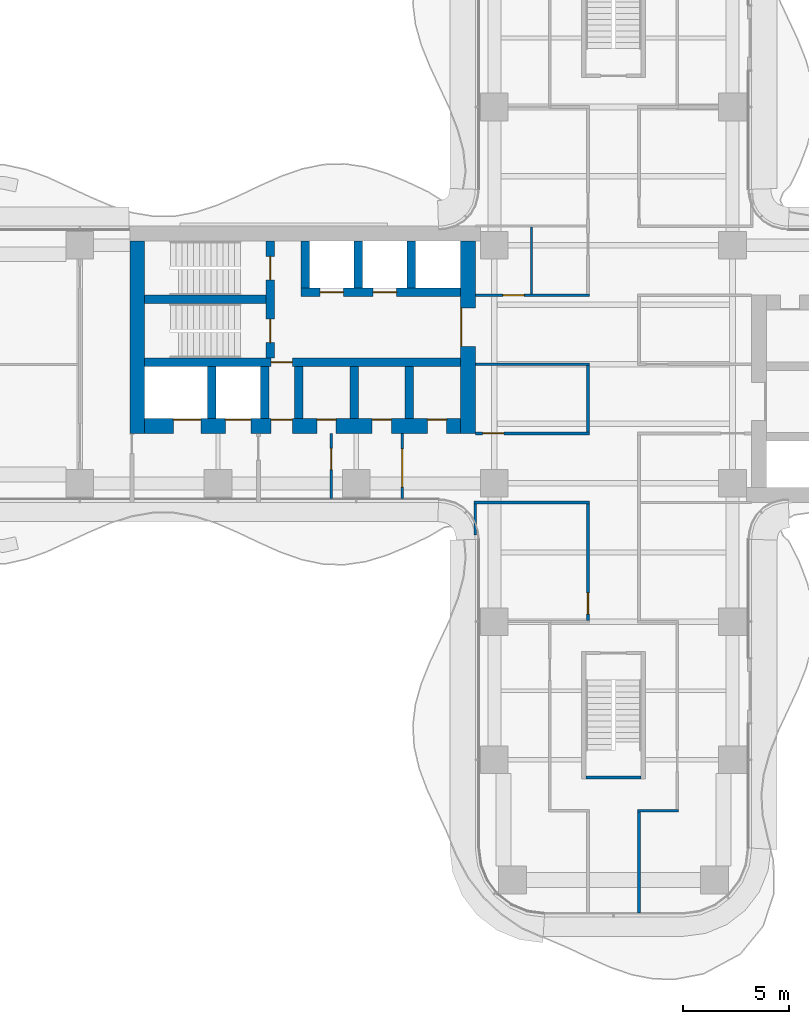
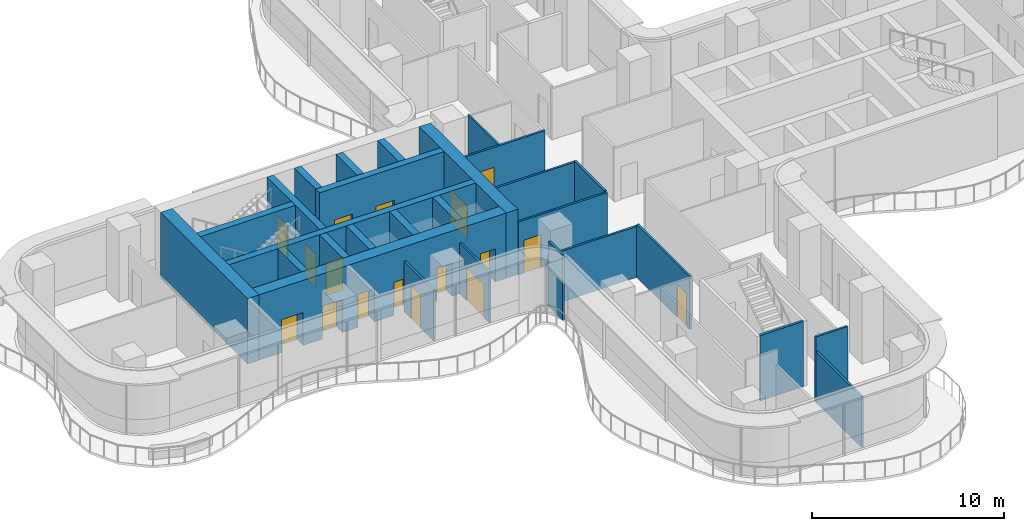
# One storey, part 15 of 20: 28 walls, 17 doors, 17 openings.
"""IFC4 building model written with IfcOpenShell, lengths in metres."""

from ifc_helpers import new_model, si_unit, direction, frame, frame_2d, origin, place, context, subcontext, project, spatial, rectangle, extrude, source, transform, mapped, material, layer, layer_set, type_object, element, fill, save


model = new_model("IFC4")

# Units and contexts
model_context = context("Model", 3, precision=1e-05, world=origin(), true_north=direction((0.0, 1.0)))
body_context = subcontext(model_context, "Body", "Model", "MODEL_VIEW")
ifc_project = project(units=[si_unit("LENGTHUNIT", "METRE"), si_unit("AREAUNIT", "SQUARE_METRE"), si_unit("VOLUMEUNIT", "CUBIC_METRE"), si_unit("PLANEANGLEUNIT", "RADIAN"), si_unit("MASSUNIT", "GRAM", prefix="KILO")], contexts=[model_context])

# Site, building, storey
site_placement = place(None, origin())
site = spatial("IfcSite", under=ifc_project, at=site_placement, CompositionType="ELEMENT")
building_placement = place(site_placement, origin())
building = spatial("IfcBuilding", under=site, at=building_placement, Name="Trellis Farm Tower", CompositionType="ELEMENT")
storey_placement = place(building_placement, frame((0.0, 0.0, 151.5)))
storey = spatial("IfcBuildingStorey", under=building, at=storey_placement, Name="L32", CompositionType="ELEMENT", Elevation=151.5)

# Wall
ifc_material_1 = material(Name="Plasterboard on steel studs", Category="steel")
ifc_layer_1 = layer(ifc_material_1, 0.10009765625)
ifc_layer_set_1 = layer_set([ifc_layer_1], Name="PARTITION 100 STUD EI 30")
wall_type_1 = type_object("IfcWallType", Name="PARTITION 100 STUD EI 30", PredefinedType="PARTITIONING", material=ifc_layer_set_1)
wall_1_placement = place(storey_placement, frame((-3.85009765625, 3.3125, 0.0), z_axis=(0.0, 0.0, 1.0), x_axis=(0.0, 1.0, 0.0)))
element("IfcWall", 1, at=wall_1_placement, inside=storey, type_object=wall_type_1, Name="Partition PW2", PredefinedType="PARTITIONING", context=body_context, shape_type="SweptSolid", body=[
    extrude(rectangle(XDim=3.137451171875, YDim=0.10009765625, at=frame_2d((1.56884765625, 0.0))), origin(), (0.0, 0.0, 1.0), 3.367919921875),
])

# Wall, opening, door
ifc_material_2 = material(Name="Concrete C70/85", Category="concrete")
ifc_layer_2 = layer(ifc_material_2, 0.699951171875)
ifc_layer_set_2 = layer_set([ifc_layer_2], Name="CORE OUTER WALL 700 CONCRETE C70/85")
wall_type_2 = type_object("IfcWallType", Name="CORE OUTER WALL 700 CONCRETE C70/85", PredefinedType="SHEAR", material=ifc_layer_set_2)
shared_shape_1 = source(origin(), body_context, "Body", "SweptSolid", [
    extrude(rectangle(XDim=9.050048828125, YDim=0.699951171875, at=frame_2d((4.52490234375, 0.0))), origin(), (0.0, 0.0, 1.0), 4.14990234375),
])
wall_2_placement = place(storey_placement, frame((-6.85009765625, 5.800048828125, 0.0), z_axis=(0.0, 0.0, 1.0), x_axis=(0.0, -1.0, 0.0)))
wall_2 = element("IfcWall", 2, at=wall_2_placement, inside=storey, type_object=wall_type_2, Name="Core wall", PredefinedType="SHEAR", context=body_context, shape_type="MappedRepresentation", body=[
    mapped(shared_shape_1, transform((0.0, 0.0, 0.0))),
])
shared_shape_2 = source(origin(), body_context, "Body", "SweptSolid", [
    extrude(rectangle(XDim=1.800048828125, YDim=2.10009765625, at=frame_2d((0.89990234375, 1.050048828125))), frame((0.0, 0.360107421875, 0.0), z_axis=(0.0, -1.0, 0.0), x_axis=(1.0, 0.0, 0.0)), (0.0, 0.0, 1.0), 0.72021484375),
])
opening_1_placement = place(wall_2_placement, frame((3.14990234375, 0.0, 0.0)))
opening_1 = element("IfcOpeningElement", 3, at=opening_1_placement, cuts=wall_2, Name="Opening DC87", PredefinedType="OPENING", context=body_context, shape_type="MappedRepresentation", body=[
    mapped(shared_shape_2, transform((0.0, 0.0, 0.0))),
])
ifc_material_3 = material(Name="Steel", Category="steel")
door_type_1 = type_object("IfcDoorType", Name="CORE FIRE DOOR DOUBLE 1800 X 2100", OperationType="DOUBLE_DOOR_SINGLE_SWING", PredefinedType="DOOR", material=ifc_material_3)
shared_shape_3 = source(origin(), body_context, "Body", "SweptSolid", [
    extrude(rectangle(XDim=1.800048828125, YDim=2.10009765625, at=frame_2d((0.89990234375, 1.050048828125))), frame((0.0, -0.27490234375, 0.0), z_axis=(0.0, -1.0, 0.0), x_axis=(1.0, 0.0, 0.0)), (0.0, 0.0, 1.0), 0.050048828125),
])
door_1_placement = place(opening_1_placement, origin())
door_1 = element("IfcDoor", 4, at=door_1_placement, inside=storey, type_object=door_type_1, Name="Core door", OperationType="DOUBLE_DOOR_SINGLE_SWING", OverallHeight=2.10009765625, OverallWidth=1.800048828125, PredefinedType="DOOR", context=body_context, shape_type="MappedRepresentation", body=[
    mapped(shared_shape_3, transform((0.0, 0.0, 0.0))),
])
fill(opening_1, door_1)

# Walls
wall_3_placement = place(storey_placement, frame((-22.39990234375, 5.800048828125, 0.0), z_axis=(0.0, 0.0, 1.0), x_axis=(0.0, -1.0, 0.0)))
element("IfcWall", 5, at=wall_3_placement, inside=storey, type_object=wall_type_2, Name="Core wall", PredefinedType="SHEAR", context=body_context, shape_type="MappedRepresentation", body=[
    mapped(shared_shape_1, transform((0.0, 0.0, 0.0))),
])
ifc_layer_3 = layer(ifc_material_2, 0.39990234375)
ifc_layer_set_3 = layer_set([ifc_layer_3], Name="CORE INNER WALL 400 CONCRETE C70/85")
wall_type_3 = type_object("IfcWallType", Name="CORE INNER WALL 400 CONCRETE C70/85", PredefinedType="SHEAR", material=ifc_layer_set_3)
shared_shape_4 = source(origin(), body_context, "Body", "SweptSolid", [
    extrude(rectangle(XDim=2.199951171875, YDim=0.39990234375, at=frame_2d((1.10009765625, 0.0))), origin(), (0.0, 0.0, 1.0), 4.14990234375),
])
for number, where, z_axis, x_axis, name in (
    (6, (-9.5, 5.800048828125, 0.0), (0.0, 0.0, 1.0), (0.0, -1.0, 0.0), "Core wall"),
    (7, (-12.0, 5.800048828125, 0.0), (0.0, 0.0, 1.0), (0.0, -1.0, 0.0), "Core wall"),
    (8, (-14.5, 5.800048828125, 0.0), (0.0, 0.0, 1.0), (0.0, -1.0, 0.0), "Core wall"),
):
    element("IfcWall", number, at=place(storey_placement, frame(where, z_axis=z_axis, x_axis=x_axis)), inside=storey, type_object=wall_type_3, Name=name, PredefinedType="SHEAR", context=body_context, shape_type="MappedRepresentation", body=[
        mapped(shared_shape_4, transform((0.0, 0.0, 0.0))),
    ])
shared_shape_5 = source(origin(), body_context, "Body", "SweptSolid", [
    extrude(rectangle(XDim=2.449951171875, YDim=0.39990234375, at=frame_2d((1.22509765625, 0.0))), origin(), (0.0, 0.0, 1.0), 4.14990234375),
])
for number, where, z_axis, x_axis, name in (
    (9, (-9.60009765625, -0.10009765625, 0.0), (0.0, 0.0, 1.0), (0.0, -1.0, 0.0), "Core wall"),
    (10, (-12.199951171875, -0.10009765625, 0.0), (0.0, 0.0, 1.0), (0.0, -1.0, 0.0), "Core wall"),
    (11, (-14.800048828125, -0.10009765625, 0.0), (0.0, 0.0, 1.0), (0.0, -1.0, 0.0), "Core wall"),
    (12, (-16.39990234375, -0.10009765625, 0.0), (0.0, 0.0, 1.0), (0.0, -1.0, 0.0), "Core wall"),
    (13, (-18.89990234375, -0.10009765625, 0.0), (0.0, 0.0, 1.0), (0.0, -1.0, 0.0), "Core wall"),
):
    element("IfcWall", number, at=place(storey_placement, frame(where, z_axis=z_axis, x_axis=x_axis)), inside=storey, type_object=wall_type_3, Name=name, PredefinedType="SHEAR", context=body_context, shape_type="MappedRepresentation", body=[
        mapped(shared_shape_5, transform((0.0, 0.0, 0.0))),
    ])

# Wall, openings, doors
shared_shape_6 = source(origin(), body_context, "Body", "SweptSolid", [
    extrude(rectangle(XDim=14.85009765625, YDim=0.699951171875, at=frame_2d((7.425048828125, 0.0))), origin(), (0.0, 0.0, 1.0), 4.14990234375),
])
wall_4_placement = place(storey_placement, frame((-7.199951171875, -2.89990234375, 0.0), z_axis=(0.0, 0.0, 1.0), x_axis=(-1.0, 0.0, 0.0)))
wall_4 = element("IfcWall", 14, at=wall_4_placement, inside=storey, type_object=wall_type_2, Name="Core wall", PredefinedType="SHEAR", context=body_context, shape_type="MappedRepresentation", body=[
    mapped(shared_shape_6, transform((0.0, 0.0, 0.0))),
])
shared_shape_7 = source(origin(), body_context, "Body", "SweptSolid", [
    extrude(rectangle(XDim=1.300048828125, YDim=2.10009765625, at=frame_2d((0.64990234375, 1.050048828125))), frame((0.0, 0.360107421875, 0.0), z_axis=(0.0, -1.0, 0.0), x_axis=(1.0, 0.0, 0.0)), (0.0, 0.0, 1.0), 0.72021484375),
])
opening_2_placement = place(wall_4_placement, frame((12.199951171875, 0.0, 0.0)))
opening_2 = element("IfcOpeningElement", 15, at=opening_2_placement, cuts=wall_4, Name="Opening LD15", PredefinedType="OPENING", context=body_context, shape_type="MappedRepresentation", body=[
    mapped(shared_shape_7, transform((0.0, 0.0, 0.0))),
])
shared_shape_8 = source(origin(), body_context, "Body", "SweptSolid", [
    extrude(rectangle(XDim=1.199951171875, YDim=2.10009765625, at=frame_2d((0.60009765625, 1.050048828125))), frame((0.0, 0.360107421875, 0.0), z_axis=(0.0, -1.0, 0.0), x_axis=(1.0, 0.0, 0.0)), (0.0, 0.0, 1.0), 0.72021484375),
])
opening_3_placement = place(wall_4_placement, frame((9.85009765625, 0.0, 0.0)))
opening_3 = element("IfcOpeningElement", 16, at=opening_3_placement, cuts=wall_4, Name="Opening LD16", PredefinedType="OPENING", context=body_context, shape_type="MappedRepresentation", body=[
    mapped(shared_shape_8, transform((0.0, 0.0, 0.0))),
])
shared_shape_9 = source(origin(), body_context, "Body", "SweptSolid", [
    extrude(rectangle(XDim=1.0, YDim=2.10009765625, at=frame_2d((0.5, 1.050048828125))), frame((0.0, 0.360107421875, 0.0), z_axis=(0.0, -1.0, 0.0), x_axis=(1.0, 0.0, 0.0)), (0.0, 0.0, 1.0), 0.72021484375),
])
opening_4_placement = place(wall_4_placement, frame((7.89990234375, 0.0, 0.0)))
opening_4 = element("IfcOpeningElement", 17, at=opening_4_placement, cuts=wall_4, Name="Opening DC92", PredefinedType="OPENING", context=body_context, shape_type="MappedRepresentation", body=[
    mapped(shared_shape_9, transform((0.0, 0.0, 0.0))),
])
shared_shape_10 = source(origin(), body_context, "Body", "SweptSolid", [
    extrude(rectangle(XDim=0.89990234375, YDim=2.10009765625, at=frame_2d((0.449951171875, 1.050048828125))), frame((0.0, 0.360107421875, 0.0), z_axis=(0.0, -1.0, 0.0), x_axis=(1.0, 0.0, 0.0)), (0.0, 0.0, 1.0), 0.72021484375),
])
opening_5_placement = place(wall_4_placement, frame((0.64990234375, 0.0, 0.0)))
opening_5 = element("IfcOpeningElement", 18, at=opening_5_placement, cuts=wall_4, Name="Opening DC97", PredefinedType="OPENING", context=body_context, shape_type="MappedRepresentation", body=[
    mapped(shared_shape_10, transform((0.0, 0.0, 0.0))),
])
opening_6_placement = place(wall_4_placement, frame((3.25, 0.0, 0.0)))
opening_6 = element("IfcOpeningElement", 19, at=opening_6_placement, cuts=wall_4, Name="Opening DC110", PredefinedType="OPENING", context=body_context, shape_type="MappedRepresentation", body=[
    mapped(shared_shape_10, transform((0.0, 0.0, 0.0))),
])
opening_7_placement = place(wall_4_placement, frame((5.85009765625, 0.0, 0.0)))
opening_7 = element("IfcOpeningElement", 20, at=opening_7_placement, cuts=wall_4, Name="Opening DC121", PredefinedType="OPENING", context=body_context, shape_type="MappedRepresentation", body=[
    mapped(shared_shape_10, transform((0.0, 0.0, 0.0))),
])
door_type_2 = type_object("IfcDoorType", Name="CORE FIRE DOOR 1000 X 2100", OperationType="NOTDEFINED", PredefinedType="DOOR", material=ifc_material_3)
shared_shape_11 = source(origin(), body_context, "Body", "SweptSolid", [
    extrude(rectangle(XDim=1.0, YDim=2.10009765625, at=frame_2d((0.5, 1.050048828125))), frame((0.0, -0.27490234375, 0.0), z_axis=(0.0, -1.0, 0.0), x_axis=(1.0, 0.0, 0.0)), (0.0, 0.0, 1.0), 0.050048828125),
])
door_2_placement = place(opening_4_placement, origin())
door_2 = element("IfcDoor", 21, at=door_2_placement, inside=storey, type_object=door_type_2, Name="Core door", OperationType="SINGLE_SWING_LEFT", OverallHeight=2.10009765625, OverallWidth=1.0, PredefinedType="DOOR", context=body_context, shape_type="MappedRepresentation", body=[
    mapped(shared_shape_11, transform((0.0, 0.0, 0.0))),
])
fill(opening_4, door_2)
door_type_3 = type_object("IfcDoorType", Name="CORE FIRE DOOR 900 X 2100", OperationType="NOTDEFINED", PredefinedType="DOOR", material=ifc_material_3)
shared_shape_12 = source(origin(), body_context, "Body", "SweptSolid", [
    extrude(rectangle(XDim=0.89990234375, YDim=2.10009765625, at=frame_2d((0.449951171875, 1.050048828125))), frame((0.0, -0.27490234375, 0.0), z_axis=(0.0, -1.0, 0.0), x_axis=(1.0, 0.0, 0.0)), (0.0, 0.0, 1.0), 0.050048828125),
])
door_3_placement = place(opening_5_placement, origin())
door_3 = element("IfcDoor", 22, at=door_3_placement, inside=storey, type_object=door_type_3, Name="Core door", OperationType="SINGLE_SWING_LEFT", OverallHeight=2.10009765625, OverallWidth=0.89990234375, PredefinedType="DOOR", context=body_context, shape_type="MappedRepresentation", body=[
    mapped(shared_shape_12, transform((0.0, 0.0, 0.0))),
])
fill(opening_5, door_3)
door_4_placement = place(opening_6_placement, origin())
door_4 = element("IfcDoor", 23, at=door_4_placement, inside=storey, type_object=door_type_3, Name="Core door", OperationType="SINGLE_SWING_RIGHT", OverallHeight=2.10009765625, OverallWidth=0.89990234375, PredefinedType="DOOR", context=body_context, shape_type="MappedRepresentation", body=[
    mapped(shared_shape_12, transform((0.0, 0.0, 0.0))),
])
fill(opening_6, door_4)
door_5_placement = place(opening_7_placement, origin())
door_5 = element("IfcDoor", 24, at=door_5_placement, inside=storey, type_object=door_type_3, Name="Core door", OperationType="SINGLE_SWING_LEFT", OverallHeight=2.10009765625, OverallWidth=0.89990234375, PredefinedType="DOOR", context=body_context, shape_type="MappedRepresentation", body=[
    mapped(shared_shape_12, transform((0.0, 0.0, 0.0))),
])
fill(opening_7, door_5)
ifc_material_4 = material(Name="Stainless steel", Category="steel")
door_type_4 = type_object("IfcDoorType", Name="LIFT LANDING DOOR 1300 X 2100", OperationType="DOUBLE_DOOR_SLIDING", PredefinedType="DOOR", material=ifc_material_4)
shared_shape_13 = source(origin(), body_context, "Body", "SweptSolid", [
    extrude(rectangle(XDim=1.300048828125, YDim=2.10009765625, at=frame_2d((0.64990234375, 1.050048828125))), frame((0.0, -0.27490234375, 0.0), z_axis=(0.0, -1.0, 0.0), x_axis=(1.0, 0.0, 0.0)), (0.0, 0.0, 1.0), 0.050048828125),
])
door_6_placement = place(opening_2_placement, origin())
door_6 = element("IfcDoor", 25, at=door_6_placement, inside=storey, type_object=door_type_4, Name="Lift landing door", OperationType="DOUBLE_DOOR_SLIDING", OverallHeight=2.10009765625, OverallWidth=1.300048828125, PredefinedType="DOOR", context=body_context, shape_type="MappedRepresentation", body=[
    mapped(shared_shape_13, transform((0.0, 0.0, 0.0))),
])
fill(opening_2, door_6)
door_type_5 = type_object("IfcDoorType", Name="LIFT LANDING DOOR 1200 X 2100", OperationType="DOUBLE_DOOR_SLIDING", PredefinedType="DOOR", material=ifc_material_4)
shared_shape_14 = source(origin(), body_context, "Body", "SweptSolid", [
    extrude(rectangle(XDim=1.199951171875, YDim=2.10009765625, at=frame_2d((0.60009765625, 1.050048828125))), frame((0.0, -0.27490234375, 0.0), z_axis=(0.0, -1.0, 0.0), x_axis=(1.0, 0.0, 0.0)), (0.0, 0.0, 1.0), 0.050048828125),
])
door_7_placement = place(opening_3_placement, origin())
door_7 = element("IfcDoor", 26, at=door_7_placement, inside=storey, type_object=door_type_5, Name="Lift landing door", OperationType="DOUBLE_DOOR_SLIDING", OverallHeight=2.10009765625, OverallWidth=1.199951171875, PredefinedType="DOOR", context=body_context, shape_type="MappedRepresentation", body=[
    mapped(shared_shape_14, transform((0.0, 0.0, 0.0))),
])
fill(opening_3, door_7)

shared_shape_15 = source(origin(), body_context, "Body", "SweptSolid", [
    extrude(rectangle(XDim=7.5, YDim=0.39990234375, at=frame_2d((3.75, 0.0))), origin(), (0.0, 0.0, 1.0), 4.14990234375),
])
wall_5_placement = place(storey_placement, frame((-7.199951171875, 3.39990234375, 0.0), z_axis=(0.0, 0.0, 1.0), x_axis=(-1.0, 0.0, 0.0)))
wall_5 = element("IfcWall", 27, at=wall_5_placement, inside=storey, type_object=wall_type_3, Name="Core wall", PredefinedType="SHEAR", context=body_context, shape_type="MappedRepresentation", body=[
    mapped(shared_shape_15, transform((0.0, 0.0, 0.0))),
])
shared_shape_16 = source(origin(), body_context, "Body", "SweptSolid", [
    extrude(rectangle(XDim=1.10009765625, YDim=2.10009765625, at=frame_2d((0.550048828125, 1.050048828125))), frame((0.0, 0.2099609375, 0.0), z_axis=(0.0, -1.0, 0.0), x_axis=(1.0, 0.0, 0.0)), (0.0, 0.0, 1.0), 0.419921875),
])
opening_8_placement = place(wall_5_placement, frame((3.0, 0.0, 0.0)))
opening_8 = element("IfcOpeningElement", 28, at=opening_8_placement, cuts=wall_5, Name="Opening LD10", PredefinedType="OPENING", context=body_context, shape_type="MappedRepresentation", body=[
    mapped(shared_shape_16, transform((0.0, 0.0, 0.0))),
])
opening_9_placement = place(wall_5_placement, frame((5.5, 0.0, 0.0)))
opening_9 = element("IfcOpeningElement", 29, at=opening_9_placement, cuts=wall_5, Name="Opening LD11", PredefinedType="OPENING", context=body_context, shape_type="MappedRepresentation", body=[
    mapped(shared_shape_16, transform((0.0, 0.0, 0.0))),
])
door_type_6 = type_object("IfcDoorType", Name="LIFT LANDING DOOR 1100 X 2100", OperationType="DOUBLE_DOOR_SLIDING", PredefinedType="DOOR", material=ifc_material_4)
shared_shape_17 = source(origin(), body_context, "Body", "SweptSolid", [
    extrude(rectangle(XDim=1.10009765625, YDim=2.10009765625, at=frame_2d((0.550048828125, 1.050048828125))), frame((0.0, 0.02490234375, 0.0), z_axis=(0.0, -1.0, 0.0), x_axis=(1.0, 0.0, 0.0)), (0.0, 0.0, 1.0), 0.050048828125),
])
door_8_placement = place(opening_8_placement, origin())
door_8 = element("IfcDoor", 30, at=door_8_placement, inside=storey, type_object=door_type_6, Name="Lift landing door", OperationType="DOUBLE_DOOR_SLIDING", OverallHeight=2.10009765625, OverallWidth=1.10009765625, PredefinedType="DOOR", context=body_context, shape_type="MappedRepresentation", body=[
    mapped(shared_shape_17, transform((0.0, 0.0, 0.0))),
])
fill(opening_8, door_8)
door_9_placement = place(opening_9_placement, origin())
door_9 = element("IfcDoor", 31, at=door_9_placement, inside=storey, type_object=door_type_6, Name="Lift landing door", OperationType="DOUBLE_DOOR_SLIDING", OverallHeight=2.10009765625, OverallWidth=1.10009765625, PredefinedType="DOOR", context=body_context, shape_type="MappedRepresentation", body=[
    mapped(shared_shape_17, transform((0.0, 0.0, 0.0))),
])
fill(opening_9, door_9)

# Wall, opening, door
shared_shape_18 = source(origin(), body_context, "Body", "SweptSolid", [
    extrude(rectangle(XDim=14.85009765625, YDim=0.39990234375, at=frame_2d((7.425048828125, 0.0))), origin(), (0.0, 0.0, 1.0), 4.14990234375),
])
wall_6_placement = place(storey_placement, frame((-7.199951171875, 0.10009765625, 0.0), z_axis=(0.0, 0.0, 1.0), x_axis=(-1.0, 0.0, 0.0)))
wall_6 = element("IfcWall", 32, at=wall_6_placement, inside=storey, type_object=wall_type_3, Name="Core wall", PredefinedType="SHEAR", context=body_context, shape_type="MappedRepresentation", body=[
    mapped(shared_shape_18, transform((0.0, 0.0, 0.0))),
])
shared_shape_19 = source(origin(), body_context, "Body", "SweptSolid", [
    extrude(rectangle(XDim=1.0, YDim=2.10009765625, at=frame_2d((0.5, 1.050048828125))), frame((0.0, 0.2099609375, 0.0), z_axis=(0.0, -1.0, 0.0), x_axis=(1.0, 0.0, 0.0)), (0.0, 0.0, 1.0), 0.419921875),
])
opening_10_placement = place(wall_6_placement, frame((7.89990234375, 0.0, 0.0)))
opening_10 = element("IfcOpeningElement", 33, at=opening_10_placement, cuts=wall_6, Name="Opening DC91", PredefinedType="OPENING", context=body_context, shape_type="MappedRepresentation", body=[
    mapped(shared_shape_19, transform((0.0, 0.0, 0.0))),
])
shared_shape_20 = source(origin(), body_context, "Body", "SweptSolid", [
    extrude(rectangle(XDim=1.0, YDim=2.10009765625, at=frame_2d((0.5, 1.050048828125))), frame((0.0, 0.02490234375, 0.0), z_axis=(0.0, -1.0, 0.0), x_axis=(1.0, 0.0, 0.0)), (0.0, 0.0, 1.0), 0.050048828125),
])
door_10_placement = place(opening_10_placement, origin())
door_10 = element("IfcDoor", 34, at=door_10_placement, inside=storey, type_object=door_type_2, Name="Core door", OperationType="SINGLE_SWING_RIGHT", OverallHeight=2.10009765625, OverallWidth=1.0, PredefinedType="DOOR", context=body_context, shape_type="MappedRepresentation", body=[
    mapped(shared_shape_20, transform((0.0, 0.0, 0.0))),
])
fill(opening_10, door_10)

# Wall, openings, doors
shared_shape_21 = source(origin(), body_context, "Body", "SweptSolid", [
    extrude(rectangle(XDim=5.5, YDim=0.39990234375, at=frame_2d((2.75, 0.0))), origin(), (0.0, 0.0, 1.0), 4.14990234375),
])
wall_7_placement = place(storey_placement, frame((-16.14990234375, 5.800048828125, 0.0), z_axis=(0.0, 0.0, 1.0), x_axis=(0.0, -1.0, 0.0)))
wall_7 = element("IfcWall", 35, at=wall_7_placement, inside=storey, type_object=wall_type_3, Name="Core wall", PredefinedType="SHEAR", context=body_context, shape_type="MappedRepresentation", body=[
    mapped(shared_shape_21, transform((0.0, 0.0, 0.0))),
])
opening_11_placement = place(wall_7_placement, frame((0.72509765625, 0.0, 0.0)))
opening_11 = element("IfcOpeningElement", 36, at=opening_11_placement, cuts=wall_7, Name="Opening DC88", PredefinedType="OPENING", context=body_context, shape_type="MappedRepresentation", body=[
    mapped(shared_shape_16, transform((0.0, 0.0, 0.0))),
])
opening_12_placement = place(wall_7_placement, frame((3.675048828125, 0.0, 0.0)))
opening_12 = element("IfcOpeningElement", 37, at=opening_12_placement, cuts=wall_7, Name="Opening DC89", PredefinedType="OPENING", context=body_context, shape_type="MappedRepresentation", body=[
    mapped(shared_shape_16, transform((0.0, 0.0, 0.0))),
])
door_type_7 = type_object("IfcDoorType", Name="CORE FIRE DOOR 1100 X 2100", OperationType="NOTDEFINED", PredefinedType="DOOR", material=ifc_material_3)
door_11_placement = place(opening_11_placement, origin())
door_11 = element("IfcDoor", 38, at=door_11_placement, inside=storey, type_object=door_type_7, Name="Core door", OperationType="SINGLE_SWING_RIGHT", OverallHeight=2.10009765625, OverallWidth=1.10009765625, PredefinedType="DOOR", context=body_context, shape_type="MappedRepresentation", body=[
    mapped(shared_shape_17, transform((0.0, 0.0, 0.0))),
])
fill(opening_11, door_11)
door_12_placement = place(opening_12_placement, origin())
door_12 = element("IfcDoor", 39, at=door_12_placement, inside=storey, type_object=door_type_7, Name="Core door", OperationType="SINGLE_SWING_LEFT", OverallHeight=2.10009765625, OverallWidth=1.10009765625, PredefinedType="DOOR", context=body_context, shape_type="MappedRepresentation", body=[
    mapped(shared_shape_17, transform((0.0, 0.0, 0.0))),
])
fill(opening_12, door_12)

# Walls
shared_shape_22 = source(origin(), body_context, "Body", "SweptSolid", [
    extrude(rectangle(XDim=5.699951171875, YDim=0.39990234375, at=frame_2d((2.85009765625, 0.0))), origin(), (0.0, 0.0, 1.0), 4.14990234375),
])
wall_8_placement = place(storey_placement, frame((-16.35009765625, 3.050048828125, 0.0), z_axis=(0.0, 0.0, 1.0), x_axis=(-1.0, 0.0, 0.0)))
element("IfcWall", 40, at=wall_8_placement, inside=storey, type_object=wall_type_3, Name="Core wall", PredefinedType="SHEAR", context=body_context, shape_type="MappedRepresentation", body=[
    mapped(shared_shape_22, transform((0.0, 0.0, 0.0))),
])
ifc_layer_4 = layer(ifc_material_2, 0.14990234375)
ifc_layer_set_4 = layer_set([ifc_layer_4], Name="CORE STAIR ENCLOSURE WALL 150 CONCRETE C70/85")
wall_type_4 = type_object("IfcWallType", Name="CORE STAIR ENCLOSURE WALL 150 CONCRETE C70/85", PredefinedType="SHEAR", material=ifc_layer_set_4)
shared_shape_23 = source(origin(), body_context, "Body", "SweptSolid", [
    extrude(rectangle(XDim=2.60009765625, YDim=0.14990234375, at=frame_2d((1.300048828125, 0.0))), origin(), (0.0, 0.0, 1.0), 4.14990234375),
])
wall_9_placement = place(storey_placement, frame((1.300048828125, -19.425048828125, 0.0), z_axis=(0.0, 0.0, 1.0), x_axis=(-1.0, 0.0, 0.0)))
element("IfcWall", 41, at=wall_9_placement, inside=storey, type_object=wall_type_4, Name="Stair enclosure wall", PredefinedType="SHEAR", context=body_context, shape_type="MappedRepresentation", body=[
    mapped(shared_shape_23, transform((0.0, 0.0, 0.0))),
])

# Wall, opening, door
ifc_material_5 = material(Name="Plasterboard on steel studs, mineral wool", Category="steel")
ifc_layer_5 = layer(ifc_material_5, 0.125)
ifc_layer_set_5 = layer_set([ifc_layer_5], Name="PARTITION 125 STUD EI 60")
wall_type_5 = type_object("IfcWallType", Name="PARTITION 125 STUD EI 60", PredefinedType="PARTITIONING", material=ifc_layer_set_5)
shared_shape_24 = source(origin(), body_context, "Body", "SweptSolid", [
    extrude(rectangle(XDim=3.050048828125, YDim=0.125, at=frame_2d((1.52490234375, 0.0))), origin(), (0.0, 0.0, 1.0), 3.22998046875),
])
wall_10_placement = place(storey_placement, frame((-13.26708984375, -6.300048828125, 0.0), z_axis=(0.0, 0.0, 1.0), x_axis=(0.0, 1.0, 0.0)))
wall_10 = element("IfcWall", 42, at=wall_10_placement, inside=storey, type_object=wall_type_5, Name="Partition PW1", PredefinedType="PARTITIONING", context=body_context, shape_type="MappedRepresentation", body=[
    mapped(shared_shape_24, transform((0.0, 0.0, 0.0))),
])
shared_shape_25 = source(origin(), body_context, "Body", "SweptSolid", [
    extrude(rectangle(XDim=1.0, YDim=2.10009765625, at=frame_2d((0.5, 1.050048828125))), frame((0.0, 0.072509765625, 0.0), z_axis=(0.0, -1.0, 0.0), x_axis=(1.0, 0.0, 0.0)), (0.0, 0.0, 1.0), 0.14501953125),
])
opening_13_placement = place(wall_10_placement, frame((1.35009765625, 0.0, 0.0)))
opening_13 = element("IfcOpeningElement", 43, at=opening_13_placement, cuts=wall_10, Name="Opening D301", PredefinedType="OPENING", context=body_context, shape_type="MappedRepresentation", body=[
    mapped(shared_shape_25, transform((0.0, 0.0, 0.0))),
])
ifc_material_6 = material(Name="Fire-rated timber door leaf in a hollow metal frame", Category="wood")
door_type_8 = type_object("IfcDoorType", Name="DOOR 1000x2100 FD60", OperationType="NOTDEFINED", PredefinedType="DOOR", material=ifc_material_6)
door_13_placement = place(opening_13_placement, origin())
door_13 = element("IfcDoor", 44, at=door_13_placement, inside=storey, type_object=door_type_8, Name="Door D301", OperationType="SINGLE_SWING_LEFT", OverallHeight=2.10009765625, OverallWidth=1.0, PredefinedType="DOOR", context=body_context, shape_type="MappedRepresentation", body=[
    mapped(shared_shape_20, transform((0.0, 0.0, 0.0))),
])
fill(opening_13, door_13)

wall_11_placement = place(storey_placement, frame((-9.93408203125, -6.300048828125, 0.0), z_axis=(0.0, 0.0, 1.0), x_axis=(0.0, 1.0, 0.0)))
wall_11 = element("IfcWall", 45, at=wall_11_placement, inside=storey, type_object=wall_type_5, Name="Partition PW1", PredefinedType="PARTITIONING", context=body_context, shape_type="MappedRepresentation", body=[
    mapped(shared_shape_24, transform((0.0, 0.0, 0.0))),
])
shared_shape_26 = source(origin(), body_context, "Body", "SweptSolid", [
    extrude(rectangle(XDim=1.800048828125, YDim=2.10009765625, at=frame_2d((0.89990234375, 1.050048828125))), frame((0.0, 0.072509765625, 0.0), z_axis=(0.0, -1.0, 0.0), x_axis=(1.0, 0.0, 0.0)), (0.0, 0.0, 1.0), 0.14501953125),
])
opening_14_placement = place(wall_11_placement, frame((0.52490234375, 0.0, 0.0)))
opening_14 = element("IfcOpeningElement", 46, at=opening_14_placement, cuts=wall_11, Name="Opening D401", PredefinedType="OPENING", context=body_context, shape_type="MappedRepresentation", body=[
    mapped(shared_shape_26, transform((0.0, 0.0, 0.0))),
])
door_type_9 = type_object("IfcDoorType", Name="DOOR PAIR 1800x2100 FD60", OperationType="NOTDEFINED", PredefinedType="DOOR", material=ifc_material_6)
shared_shape_27 = source(origin(), body_context, "Body", "SweptSolid", [
    extrude(rectangle(XDim=1.800048828125, YDim=2.10009765625, at=frame_2d((0.89990234375, 1.050048828125))), frame((0.0, 0.02490234375, 0.0), z_axis=(0.0, -1.0, 0.0), x_axis=(1.0, 0.0, 0.0)), (0.0, 0.0, 1.0), 0.050048828125),
])
door_14_placement = place(opening_14_placement, origin())
door_14 = element("IfcDoor", 47, at=door_14_placement, inside=storey, type_object=door_type_9, Name="Door D401", OperationType="DOUBLE_DOOR_SINGLE_SWING", OverallHeight=2.10009765625, OverallWidth=1.800048828125, PredefinedType="DOOR", context=body_context, shape_type="MappedRepresentation", body=[
    mapped(shared_shape_27, transform((0.0, 0.0, 0.0))),
])
fill(opening_14, door_14)

# Walls
shared_shape_28 = source(origin(), body_context, "Body", "SweptSolid", [
    extrude(rectangle(XDim=4.737548828125, YDim=0.125, at=frame_2d((2.36865234375, 0.0))), origin(), (0.0, 0.0, 1.0), 3.22998046875),
])
wall_12_placement = place(storey_placement, frame((1.199951171875, -21.0625, 0.0), z_axis=(0.0, 0.0, 1.0), x_axis=(0.0, -1.0, 0.0)))
element("IfcWall", 48, at=wall_12_placement, inside=storey, type_object=wall_type_5, Name="Partition PW1", PredefinedType="PARTITIONING", context=body_context, shape_type="MappedRepresentation", body=[
    mapped(shared_shape_28, transform((0.0, 0.0, 0.0))),
])
shared_shape_29 = source(origin(), body_context, "Body", "SweptSolid", [
    extrude(rectangle(XDim=3.125, YDim=0.125, at=frame_2d((1.5625, 0.0))), origin(), (0.0, 0.0, 1.0), 3.446533203125),
])
wall_13_placement = place(storey_placement, frame((-1.199951171875, -0.0625, 0.0), z_axis=(0.0, 0.0, 1.0), x_axis=(0.0, -1.0, 0.0)))
element("IfcWall", 49, at=wall_13_placement, inside=storey, type_object=wall_type_5, Name="Partition PW1", PredefinedType="PARTITIONING", context=body_context, shape_type="MappedRepresentation", body=[
    mapped(shared_shape_29, transform((0.0, 0.0, 0.0))),
])

# Wall, opening, door
shared_shape_30 = source(origin(), body_context, "Body", "SweptSolid", [
    extrude(rectangle(XDim=5.47509765625, YDim=0.125, at=frame_2d((2.737548828125, 0.0))), origin(), (0.0, 0.0, 1.0), 3.367919921875),
])
wall_14_placement = place(storey_placement, frame((-1.199951171875, -6.5625, 0.0), z_axis=(0.0, 0.0, 1.0), x_axis=(0.0, -1.0, 0.0)))
wall_14 = element("IfcWall", 50, at=wall_14_placement, inside=storey, type_object=wall_type_5, Name="Partition PW1", PredefinedType="PARTITIONING", context=body_context, shape_type="MappedRepresentation", body=[
    mapped(shared_shape_30, transform((0.0, 0.0, 0.0))),
])
opening_15_placement = place(wall_14_placement, frame((4.1875, 0.0, 0.0)))
opening_15 = element("IfcOpeningElement", 51, at=opening_15_placement, cuts=wall_14, Name="Opening D103", PredefinedType="OPENING", context=body_context, shape_type="MappedRepresentation", body=[
    mapped(shared_shape_25, transform((0.0, 0.0, 0.0))),
])
door_type_10 = type_object("IfcDoorType", Name="DOOR 1000x2100 FD30S", OperationType="NOTDEFINED", PredefinedType="DOOR", material=ifc_material_6)
door_15_placement = place(opening_15_placement, origin())
door_15 = element("IfcDoor", 52, at=door_15_placement, inside=storey, type_object=door_type_10, Name="Door D103", OperationType="SINGLE_SWING_RIGHT", OverallHeight=2.10009765625, OverallWidth=1.0, PredefinedType="DOOR", context=body_context, shape_type="MappedRepresentation", body=[
    mapped(shared_shape_20, transform((0.0, 0.0, 0.0))),
])
fill(opening_15, door_15)

# Walls
shared_shape_31 = source(origin(), body_context, "Body", "SweptSolid", [
    extrude(rectangle(XDim=1.468994140625, YDim=0.125, at=frame_2d((0.734375, 0.0))), origin(), (0.0, 0.0, 1.0), 4.14990234375),
])
wall_15_placement = place(storey_placement, frame((-6.5, -6.5625, 0.0), z_axis=(0.0, 0.0, 1.0), x_axis=(0.0, -1.0, 0.0)))
element("IfcWall", 53, at=wall_15_placement, inside=storey, type_object=wall_type_5, Name="Partition PW1", PredefinedType="PARTITIONING", context=body_context, shape_type="MappedRepresentation", body=[
    mapped(shared_shape_31, transform((0.0, 0.0, 0.0))),
])
shared_shape_32 = source(origin(), body_context, "Body", "SweptSolid", [
    extrude(rectangle(XDim=1.925048828125, YDim=0.125, at=frame_2d((0.96240234375, 0.0))), origin(), (0.0, 0.0, 1.0), 4.14990234375),
])
wall_16_placement = place(storey_placement, frame((3.0625, -21.0, 0.0), z_axis=(0.0, 0.0, 1.0), x_axis=(-1.0, 0.0, 0.0)))
element("IfcWall", 54, at=wall_16_placement, inside=storey, type_object=wall_type_5, Name="Partition PW1", PredefinedType="PARTITIONING", context=body_context, shape_type="MappedRepresentation", body=[
    mapped(shared_shape_32, transform((0.0, 0.0, 0.0))),
])

# Wall, opening, door
shared_shape_33 = source(origin(), body_context, "Body", "SweptSolid", [
    extrude(rectangle(XDim=5.362548828125, YDim=0.125, at=frame_2d((2.68115234375, 0.0))), origin(), (0.0, 0.0, 1.0), 3.367919921875),
])
wall_17_placement = place(storey_placement, frame((-1.137451171875, -3.25, 0.0), z_axis=(0.0, 0.0, 1.0), x_axis=(-1.0, 0.0, 0.0)))
wall_17 = element("IfcWall", 55, at=wall_17_placement, inside=storey, type_object=wall_type_5, Name="Partition PW1", PredefinedType="PARTITIONING", context=body_context, shape_type="MappedRepresentation", body=[
    mapped(shared_shape_33, transform((0.0, 0.0, 0.0))),
])
opening_16_placement = place(wall_17_placement, frame((4.012451171875, 0.0, 0.0)))
opening_16 = element("IfcOpeningElement", 56, at=opening_16_placement, cuts=wall_17, Name="Opening D104", PredefinedType="OPENING", context=body_context, shape_type="MappedRepresentation", body=[
    mapped(shared_shape_25, transform((0.0, 0.0, 0.0))),
])
door_16_placement = place(opening_16_placement, origin())
door_16 = element("IfcDoor", 57, at=door_16_placement, inside=storey, type_object=door_type_10, Name="Door D104", OperationType="SINGLE_SWING_RIGHT", OverallHeight=2.10009765625, OverallWidth=1.0, PredefinedType="DOOR", context=body_context, shape_type="MappedRepresentation", body=[
    mapped(shared_shape_20, transform((0.0, 0.0, 0.0))),
])
fill(opening_16, door_16)

# Wall
wall_18_placement = place(storey_placement, frame((-1.137451171875, 0.0, 0.0), z_axis=(0.0, 0.0, 1.0), x_axis=(-1.0, 0.0, 0.0)))
element("IfcWall", 58, at=wall_18_placement, inside=storey, type_object=wall_type_5, Name="Partition PW1", PredefinedType="PARTITIONING", context=body_context, shape_type="MappedRepresentation", body=[
    mapped(shared_shape_33, transform((0.0, 0.0, 0.0))),
])

# Wall, opening, door
wall_19_placement = place(storey_placement, frame((-6.5, 3.25, 0.0), z_axis=(0.0, 0.0, 1.0), x_axis=(1.0, 0.0, 0.0)))
wall_19 = element("IfcWall", 59, at=wall_19_placement, inside=storey, type_object=wall_type_5, Name="Partition PW1", PredefinedType="PARTITIONING", context=body_context, shape_type="MappedRepresentation", body=[
    mapped(shared_shape_33, transform((0.0, 0.0, 0.0))),
])
opening_17_placement = place(wall_19_placement, frame((1.300048828125, 0.0, 0.0)))
opening_17 = element("IfcOpeningElement", 60, at=opening_17_placement, cuts=wall_19, Name="Opening D108", PredefinedType="OPENING", context=body_context, shape_type="MappedRepresentation", body=[
    mapped(shared_shape_25, transform((0.0, 0.0, 0.0))),
])
door_17_placement = place(opening_17_placement, origin())
door_17 = element("IfcDoor", 61, at=door_17_placement, inside=storey, type_object=door_type_10, Name="Door D108", OperationType="SINGLE_SWING_RIGHT", OverallHeight=2.10009765625, OverallWidth=1.0, PredefinedType="DOOR", context=body_context, shape_type="MappedRepresentation", body=[
    mapped(shared_shape_20, transform((0.0, 0.0, 0.0))),
])
fill(opening_17, door_17)

# Wall
shared_shape_34 = source(origin(), body_context, "Body", "SweptSolid", [
    extrude(rectangle(XDim=5.425048828125, YDim=0.125, at=frame_2d((2.71240234375, 0.0))), origin(), (0.0, 0.0, 1.0), 3.22998046875),
])
wall_20_placement = place(storey_placement, frame((-1.137451171875, -6.5, 0.0), z_axis=(0.0, 0.0, 1.0), x_axis=(-1.0, 0.0, 0.0)))
element("IfcWall", 62, at=wall_20_placement, inside=storey, type_object=wall_type_5, Name="Partition PW1", PredefinedType="PARTITIONING", context=body_context, shape_type="MappedRepresentation", body=[
    mapped(shared_shape_34, transform((0.0, 0.0, 0.0))),
])

save(model, "model.ifc")
